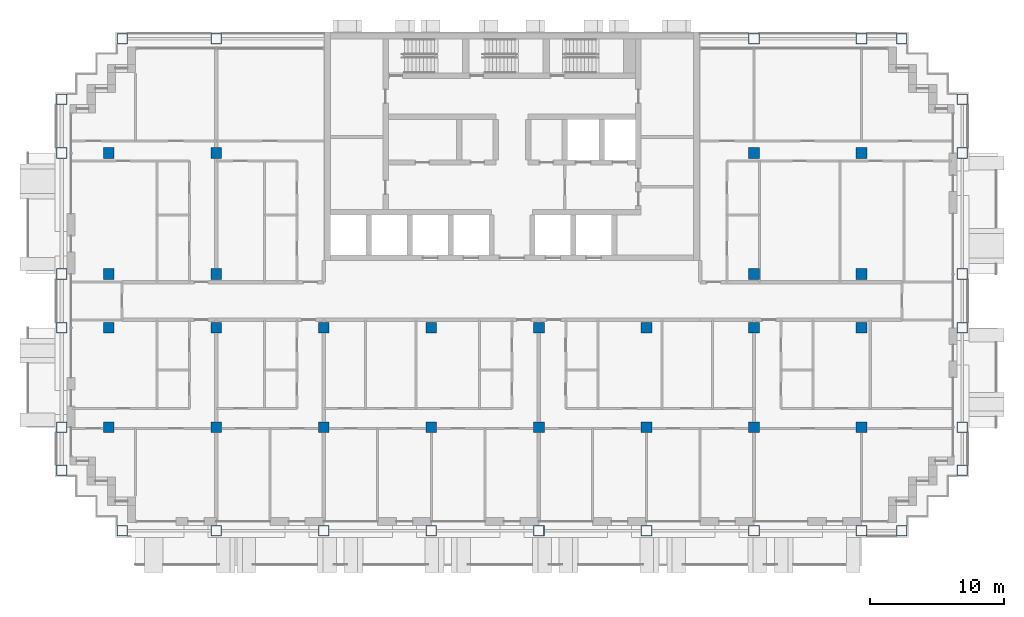
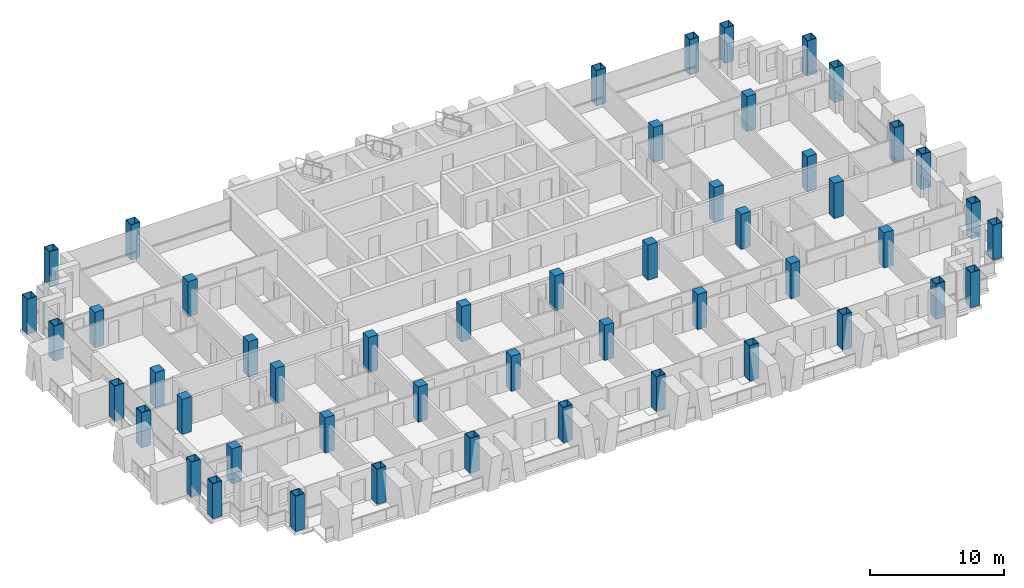
# One storey, part 1 of 18: 50 columns.
"""IFC4 building model written with IfcOpenShell, lengths in metres."""

from ifc_helpers import new_model, si_unit, direction, frame, origin, origin_2d, place, context, subcontext, project, spatial, rectangle, hollow_rectangle, extrude, material, material_profile, profile_set, type_object, element, save


model = new_model("IFC4")

# Units and contexts
model_context = context("Model", 3, precision=1e-05, world=origin(), true_north=direction((0.0, 1.0)))
body_context = subcontext(model_context, "Body", "Model", "MODEL_VIEW")
ifc_project = project(units=[si_unit("LENGTHUNIT", "METRE"), si_unit("AREAUNIT", "SQUARE_METRE"), si_unit("VOLUMEUNIT", "CUBIC_METRE"), si_unit("PLANEANGLEUNIT", "RADIAN"), si_unit("MASSUNIT", "GRAM", prefix="KILO")], contexts=[model_context])

# Site, building, storey
site_placement = place(None, origin())
site = spatial("IfcSite", under=ifc_project, at=site_placement, CompositionType="ELEMENT")
building_placement = place(site_placement, origin())
building = spatial("IfcBuilding", under=site, at=building_placement, Name="Vidyagriha Tower", CompositionType="ELEMENT")
storey_placement = place(building_placement, frame((0.0, 0.0, 126.199951171875)))
storey = spatial("IfcBuildingStorey", under=building, at=storey_placement, Name="L32", CompositionType="ELEMENT", Elevation=126.199951171875)

# Columns
ifc_material_1 = material(Name="Steel ASTM A572 Grade 50", Category="steel")
ifc_material_profile_1 = material_profile(ifc_material_1, hollow_rectangle(XDim=0.800048828125, YDim=0.800048828125, WallThickness=0.0400390625, at=origin_2d()), Name="BOX 800x800x40")
ifc_profile_set_1 = profile_set([ifc_material_profile_1], Name="Steel ASTM A572 Grade 50")
column_type_1 = type_object("IfcColumnType", Name="Exoskeleton column BOX 800x800x40", PredefinedType="COLUMN", material=ifc_profile_set_1)
for number, where, name in (
    (1, (-29.0, -17.10009765625, 0.0), "st-col-L32-B3-001"),
    (2, (-22.0, -17.10009765625, 0.0), "st-col-L32-B3-002"),
    (3, (-14.0, -17.10009765625, 0.0), "st-col-L32-B3-003"),
    (4, (-6.0, -17.10009765625, 0.0), "st-col-L32-B3-004"),
    (5, (2.0, -17.10009765625, 0.0), "st-col-L32-B3-005"),
    (6, (10.0, -17.10009765625, 0.0), "st-col-L32-B3-006"),
    (7, (18.0, -17.10009765625, 0.0), "st-col-L32-B3-007"),
    (8, (26.0, -17.10009765625, 0.0), "st-col-L32-B3-008"),
    (9, (29.0, -17.10009765625, 0.0), "st-col-L32-B3-009"),
    (10, (-33.5, -12.60009765625, 0.0), "st-col-L32-B3-010"),
    (11, (33.5, -12.60009765625, 0.0), "st-col-L32-B3-011"),
    (12, (-33.5, -9.39990234375, 0.0), "st-col-L32-B3-012"),
    (13, (33.5, -9.39990234375, 0.0), "st-col-L32-B3-021"),
    (14, (-33.5, -2.0, 0.0), "st-col-L32-B3-022"),
    (15, (33.5, -2.0, 0.0), "st-col-L32-B3-031"),
    (16, (-33.5, 2.0, 0.0), "st-col-L32-B3-032"),
    (17, (33.5, 2.0, 0.0), "st-col-L32-B3-037"),
    (18, (-33.5, 11.0, 0.0), "st-col-L32-B3-038"),
    (19, (33.5, 11.0, 0.0), "st-col-L32-B3-043"),
    (20, (-33.5, 15.0, 0.0), "st-col-L32-B3-044"),
    (21, (33.5, 15.0, 0.0), "st-col-L32-B3-045"),
    (22, (-29.0, 19.5, 0.0), "st-col-L32-B3-046"),
    (23, (-22.0, 19.5, 0.0), "st-col-L32-B3-047"),
    (24, (18.0, 19.5, 0.0), "st-col-L32-B3-048"),
    (25, (26.0, 19.5, 0.0), "st-col-L32-B3-049"),
    (26, (29.0, 19.5, 0.0), "st-col-L32-B3-050"),
):
    element("IfcColumn", number, at=place(storey_placement, frame(where)), inside=storey, type_object=column_type_1, Name=name, PredefinedType="COLUMN", context=body_context, shape_type="SweptSolid", body=[
        extrude(hollow_rectangle(XDim=0.800048828125, YDim=0.800048828125, WallThickness=0.0400390625, at=origin_2d()), origin(), (0.0, 0.0, 1.0), 3.199951171875),
    ])
ifc_material_2 = material(Name="Concrete C80/95", Category="concrete")
ifc_material_profile_2 = material_profile(ifc_material_2, rectangle(XDim=0.800048828125, YDim=0.800048828125, at=origin_2d()), Name="RC 800x800")
ifc_profile_set_2 = profile_set([ifc_material_profile_2], Name="Concrete C80/95")
column_type_2 = type_object("IfcColumnType", Name="Frame column RC 800x800", PredefinedType="COLUMN", material=ifc_profile_set_2)
for number, where, name in (
    (27, (-30.0, -9.39990234375, 0.0), "st-col-L32-B3-013"),
    (28, (-22.0, -9.39990234375, 0.0), "st-col-L32-B3-014"),
    (29, (-14.0, -9.39990234375, 0.0), "st-col-L32-B3-015"),
    (30, (-6.0, -9.39990234375, 0.0), "st-col-L32-B3-016"),
    (31, (2.0, -9.39990234375, 0.0), "st-col-L32-B3-017"),
    (32, (10.0, -9.39990234375, 0.0), "st-col-L32-B3-018"),
    (33, (18.0, -9.39990234375, 0.0), "st-col-L32-B3-019"),
    (34, (26.0, -9.39990234375, 0.0), "st-col-L32-B3-020"),
    (35, (-30.0, -2.0, 0.0), "st-col-L32-B3-023"),
    (36, (-22.0, -2.0, 0.0), "st-col-L32-B3-024"),
    (37, (-14.0, -2.0, 0.0), "st-col-L32-B3-025"),
    (38, (-6.0, -2.0, 0.0), "st-col-L32-B3-026"),
    (39, (2.0, -2.0, 0.0), "st-col-L32-B3-027"),
    (40, (10.0, -2.0, 0.0), "st-col-L32-B3-028"),
    (41, (18.0, -2.0, 0.0), "st-col-L32-B3-029"),
    (42, (26.0, -2.0, 0.0), "st-col-L32-B3-030"),
    (43, (-30.0, 2.0, 0.0), "st-col-L32-B3-033"),
    (44, (-22.0, 2.0, 0.0), "st-col-L32-B3-034"),
    (45, (18.0, 2.0, 0.0), "st-col-L32-B3-035"),
    (46, (26.0, 2.0, 0.0), "st-col-L32-B3-036"),
    (47, (-30.0, 11.0, 0.0), "st-col-L32-B3-039"),
    (48, (-22.0, 11.0, 0.0), "st-col-L32-B3-040"),
    (49, (18.0, 11.0, 0.0), "st-col-L32-B3-041"),
    (50, (26.0, 11.0, 0.0), "st-col-L32-B3-042"),
):
    element("IfcColumn", number, at=place(storey_placement, frame(where)), inside=storey, type_object=column_type_2, Name=name, PredefinedType="COLUMN", context=body_context, shape_type="SweptSolid", body=[
        extrude(rectangle(XDim=0.800048828125, YDim=0.800048828125, at=origin_2d()), origin(), (0.0, 0.0, 1.0), 3.199951171875),
    ])

save(model, "model.ifc")
